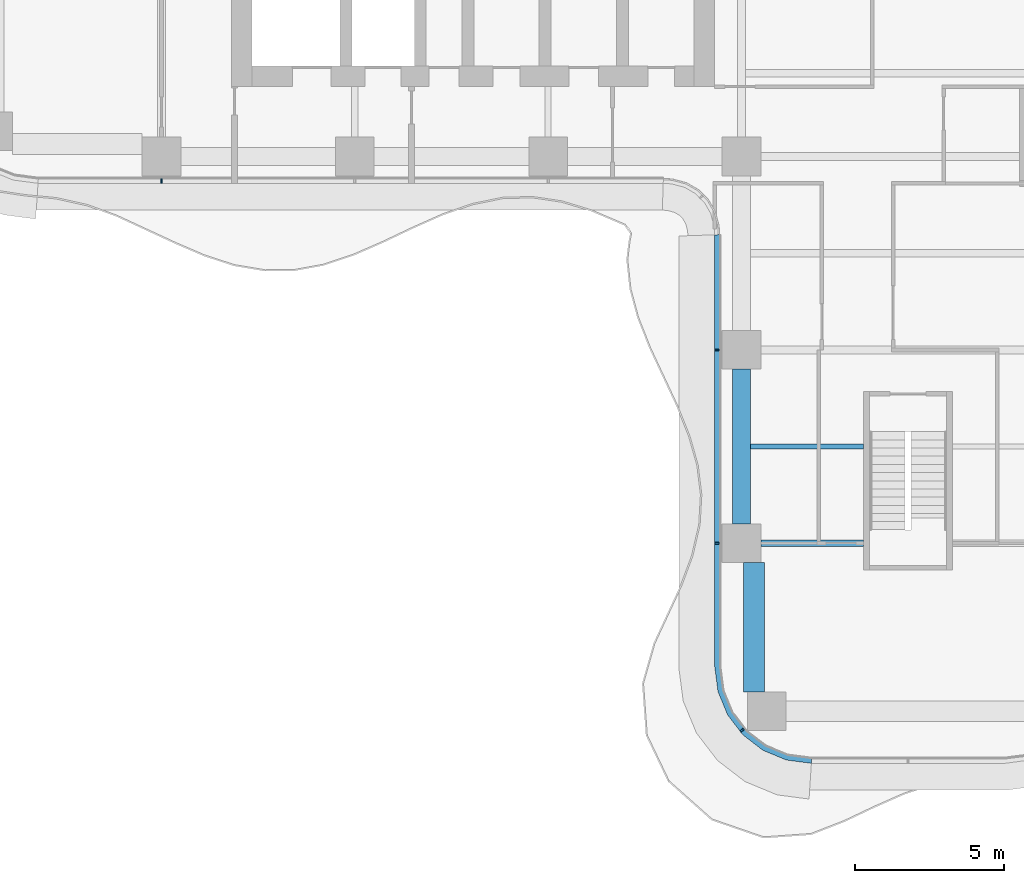
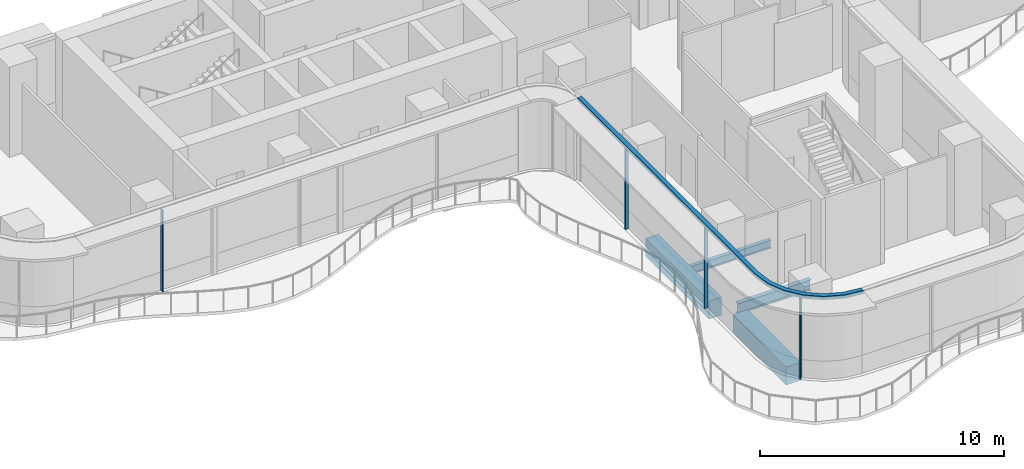
# One storey, part 2 of 20: 5 members, 4 beams, 2 elements without a shape of their own.
"""IFC4 building model written with IfcOpenShell, lengths in metres."""

import ifcopenshell
import ifcopenshell.guid

model = None  # the IFC model being written
_history = None  # IfcOwnerHistory: only IFC2X3 demands one
_inside = {}  # id of a spatial element -> (the spatial element, [elements in it])
_under = {}  # id of a project, library or spatial element -> (it, [spatial elements below it])
_declared = {}  # id of a project -> (the project, [libraries it declares])
_typed = {}  # id of a type object -> (the type object, [elements of that type])
_made_of = {}  # id of a material, layer set ... -> (it, [elements and type objects made of it])


def new_model(schema):
    """Start an empty IFC model of exactly this schema.

    Asked for "IFC4X3", IfcOpenShell would pick the latest addendum, in which some entities
    have other attributes; the version numbers below select the first issue.
    IFC2X3 requires an IfcOwnerHistory on every rooted entity: one is made here for all.
    """
    global model, _history
    if schema == "IFC4X3":
        model = ifcopenshell.file(schema_version=(4, 3, 0, 0))
    else:
        model = ifcopenshell.file(schema=schema)
    _inside.clear()
    _under.clear()
    _declared.clear()
    _typed.clear()
    _made_of.clear()
    _history = None
    if model.schema == "IFC2X3":
        org = make("IfcOrganization", Name="unknown")
        user = make(
            "IfcPersonAndOrganization",
            ThePerson=make("IfcPerson", FamilyName="unknown"),
            TheOrganization=org,
        )
        app = make(
            "IfcApplication",
            ApplicationDeveloper=org,
            Version="unknown",
            ApplicationFullName="unknown",
            ApplicationIdentifier="unknown",
        )
        _history = make(
            "IfcOwnerHistory",
            OwningUser=user,
            OwningApplication=app,
            ChangeAction="ADDED",
            CreationDate=0,
        )
    return model


def make(cls, **values):
    """One entity of the class cls with the attributes given. An attribute that is None is left unset."""
    return model.create_entity(
        cls, **{name: value for name, value in values.items() if value is not None}
    )


def rooted(cls, **values):
    """An entity with a GlobalId (a new one), such as an element, a storey or a relation."""
    return make(cls, GlobalId=ifcopenshell.guid.new(), OwnerHistory=_history, **values)


def si_unit(unit_type, name, prefix=None):
    """IfcSIUnit, for example si_unit("LENGTHUNIT", "METRE", prefix="MILLI")."""
    return make("IfcSIUnit", UnitType=unit_type, Prefix=prefix, Name=name)


def assignment(units):
    """IfcUnitAssignment: the units of a project."""
    return None if units is None else make("IfcUnitAssignment", Units=units)


def point(xyz):
    """IfcCartesianPoint."""
    return None if xyz is None else make("IfcCartesianPoint", Coordinates=xyz)


def direction(xyz):
    """IfcDirection."""
    return None if xyz is None else make("IfcDirection", DirectionRatios=xyz)


def frame(location, z_axis=None, x_axis=None):
    """IfcAxis2Placement3D, a coordinate frame: its origin and axes. An axis left out is left unset."""
    return make(
        "IfcAxis2Placement3D",
        Location=point(location),
        Axis=direction(z_axis),
        RefDirection=direction(x_axis),
    )


def frame_2d(location, x_axis=None):
    """IfcAxis2Placement2D, a coordinate frame in the plane: its origin and x axis."""
    return make(
        "IfcAxis2Placement2D", Location=point(location), RefDirection=direction(x_axis)
    )


def origin():
    """The frame at (0, 0, 0) with its axes left unset."""
    return frame((0.0, 0.0, 0.0))


def origin_2d():
    """The frame at (0, 0) in the plane with its x axis left unset."""
    return frame_2d((0.0, 0.0))


def place(relative_to, where):
    """IfcLocalPlacement: puts the frame where relative to a parent placement (None: the world)."""
    return make(
        "IfcLocalPlacement", PlacementRelTo=relative_to, RelativePlacement=where
    )


def context(
    kind, dimensions, precision=None, world=None, true_north=None, identifier=None
):
    """IfcGeometricRepresentationContext, for example the 3D "Model" context."""
    return make(
        "IfcGeometricRepresentationContext",
        ContextIdentifier=identifier,
        ContextType=kind,
        CoordinateSpaceDimension=dimensions,
        Precision=precision,
        WorldCoordinateSystem=world,
        TrueNorth=true_north,
    )


def subcontext(parent, identifier, kind, view, scale=None):
    """IfcGeometricRepresentationSubContext, for example "Body" below "Model"."""
    return make(
        "IfcGeometricRepresentationSubContext",
        ContextIdentifier=identifier,
        ContextType=kind,
        ParentContext=parent,
        TargetScale=scale,
        TargetView=view,
    )


def project(units=None, contexts=None):
    """IfcProject with its units and contexts."""
    return rooted(
        "IfcProject",
        Name="project",
        RepresentationContexts=contexts,
        UnitsInContext=assignment(units),
    )


def spatial(cls, under=None, at=None, **own):
    """A site, building, storey or space (cls), placed at a placement, below another one or the project."""
    s = rooted(cls, ObjectPlacement=at, **own)
    if under is not None:
        _under.setdefault(under.id(), (under, []))[1].append(s)
    return s


def polyline(points):
    """IfcPolyline through the points."""
    return make("IfcPolyline", Points=[point(p) for p in points])


def profile(cls, at=None, kind="AREA", **sizes):
    """A parametric profile (cls). Its sizes go by their IFC names, for example OverallWidth=200.0."""
    return make(cls, ProfileType=kind, Position=at, **sizes)


def rectangle(**sizes):
    """IfcRectangleProfileDef."""
    return profile("IfcRectangleProfileDef", **sizes)


def i_section(**sizes):
    """IfcIShapeProfileDef."""
    return profile("IfcIShapeProfileDef", **sizes)


def outline(outer, holes=None, kind="AREA"):
    """IfcArbitraryClosedProfileDef: a profile drawn as a closed curve; with holes, ...WithVoids."""
    if holes is None:
        return make("IfcArbitraryClosedProfileDef", ProfileType=kind, OuterCurve=outer)
    return make(
        "IfcArbitraryProfileDefWithVoids",
        ProfileType=kind,
        OuterCurve=outer,
        InnerCurves=holes,
    )


def extrude(swept, where, along, depth):
    """IfcExtrudedAreaSolid: the profile swept, set in the frame where, extruded along a direction by depth."""
    return make(
        "IfcExtrudedAreaSolid",
        SweptArea=swept,
        Position=where,
        ExtrudedDirection=direction(along),
        Depth=depth,
    )


def shape(context_of_items, identifier, shape_type, items):
    """IfcShapeRepresentation: the items that make up one representation, for example the "Body"."""
    return make(
        "IfcShapeRepresentation",
        ContextOfItems=context_of_items,
        RepresentationIdentifier=identifier,
        RepresentationType=shape_type,
        Items=items,
    )


def source(mapping_origin, context_of_items, identifier, shape_type, items):
    """IfcRepresentationMap: a shape defined once, which mapped items show again and again."""
    return make(
        "IfcRepresentationMap",
        MappingOrigin=mapping_origin,
        MappedRepresentation=shape(context_of_items, identifier, shape_type, items),
    )


def transform(
    local_origin,
    x_axis=None,
    y_axis=None,
    z_axis=None,
    scale=None,
    scale2=None,
    scale3=None,
    uniform=True,
):
    """IfcCartesianTransformationOperator3D, or its non-uniform kind. x_axis, y_axis, z_axis: its Axis1, 2, 3."""
    if uniform:
        return make(
            "IfcCartesianTransformationOperator3D",
            Axis1=direction(x_axis),
            Axis2=direction(y_axis),
            LocalOrigin=point(local_origin),
            Scale=scale,
            Axis3=direction(z_axis),
        )
    return make(
        "IfcCartesianTransformationOperator3DnonUniform",
        Axis1=direction(x_axis),
        Axis2=direction(y_axis),
        LocalOrigin=point(local_origin),
        Scale=scale,
        Axis3=direction(z_axis),
        Scale2=scale2,
        Scale3=scale3,
    )


def mapped(mapping_source, mapping_target):
    """IfcMappedItem: shows the shape of a source again, moved by a transform."""
    return make(
        "IfcMappedItem", MappingSource=mapping_source, MappingTarget=mapping_target
    )


def material(Name=None, Category=None):
    """IfcMaterial."""
    return make("IfcMaterial", Name=Name, Category=Category)


def layer(
    of_material, thickness, ventilated=None, Name=None, Category=None, Priority=None
):
    """IfcMaterialLayer: one layer of a wall or slab, of a material (None: an air gap)."""
    return make(
        "IfcMaterialLayer",
        Material=of_material,
        LayerThickness=thickness,
        IsVentilated=ventilated,
        Name=Name,
        Category=Category,
        Priority=Priority,
    )


def layer_set(layers, Name=None):
    """IfcMaterialLayerSet."""
    return make("IfcMaterialLayerSet", MaterialLayers=layers, LayerSetName=Name)


def material_profile(
    of_material, cross_section, Name=None, Category=None, Priority=None
):
    """IfcMaterialProfile: a cross section and its material."""
    return make(
        "IfcMaterialProfile",
        Name=Name,
        Material=of_material,
        Profile=cross_section,
        Priority=Priority,
        Category=Category,
    )


def profile_set(profiles, Name=None, composite=None):
    """IfcMaterialProfileSet."""
    return make(
        "IfcMaterialProfileSet",
        Name=Name,
        MaterialProfiles=profiles,
        CompositeProfile=composite,
    )


def made_of(thing, what):
    """Note that an element or type object is made of a material, layer set ...; save() writes the relation."""
    if what is not None:
        _made_of.setdefault(what.id(), (what, []))[1].append(thing)
    return thing


def type_object(cls, material=None, **own):
    """A type object (cls), such as IfcWallType, which elements share."""
    return made_of(rooted(cls, **own), material)


def element(
    cls,
    number,
    at=None,
    inside=None,
    cuts=None,
    type_object=None,
    material=None,
    context=None,
    identifier="Body",
    shape_type=None,
    held_by="IfcProductDefinitionShape",
    body=None,
    shapes=None,
    **own,
):
    """One element of the class cls, such as IfcWall. Its Tag is "e" and its number.

    at: its placement. inside: the storey or other place that contains it. cuts: it is an
    opening in that element (IfcRelVoidsElement). A single representation is given by context,
    identifier, shape_type and body (its items); several are given by shapes. held_by: the class
    of the entity that holds the representations. save() writes the other relations.
    """
    e = rooted(cls, Tag="e%d" % number, ObjectPlacement=at, **own)
    if body is not None:
        shapes = [shape(context, identifier, shape_type, body)]
    if shapes is not None:
        e.Representation = make(held_by, Representations=shapes)
    if inside is not None:
        _inside.setdefault(inside.id(), (inside, []))[1].append(e)
    if cuts is not None:
        rooted(
            "IfcRelVoidsElement", RelatingBuildingElement=cuts, RelatedOpeningElement=e
        )
    if type_object is not None:
        _typed.setdefault(type_object.id(), (type_object, []))[1].append(e)
    return made_of(e, material)


def aggregate(whole, parts):
    """IfcRelAggregates: a whole, such as a stair, and the parts it consists of."""
    return rooted("IfcRelAggregates", RelatingObject=whole, RelatedObjects=parts)


def save(model, path):
    """Write the relations noted so far, then the file.

    IfcRelAggregates (storeys below a building ...), IfcRelContainedInSpatialStructure (elements
    in a storey), IfcRelDefinesByType, IfcRelAssociatesMaterial and IfcRelDeclares: one each for
    every whole, place, type object, material and project.
    """
    for whole, parts in _under.values():
        aggregate(whole, parts)
    for where, things in _inside.values():
        rooted(
            "IfcRelContainedInSpatialStructure",
            RelatedElements=things,
            RelatingStructure=where,
        )
    for kind, things in _typed.values():
        rooted("IfcRelDefinesByType", RelatedObjects=things, RelatingType=kind)
    for what, things in _made_of.values():
        rooted("IfcRelAssociatesMaterial", RelatedObjects=things, RelatingMaterial=what)
    for by, libraries in _declared.values():
        rooted("IfcRelDeclares", RelatingContext=by, RelatedDefinitions=libraries)
    model.write(path)


model = new_model("IFC4")

# Units and contexts
model_context = context("Model", 3, precision=1e-05, world=origin(), true_north=direction((0.0, 1.0)))
body_context = subcontext(model_context, "Body", "Model", "MODEL_VIEW")
ifc_project = project(units=[si_unit("LENGTHUNIT", "METRE"), si_unit("AREAUNIT", "SQUARE_METRE"), si_unit("VOLUMEUNIT", "CUBIC_METRE"), si_unit("PLANEANGLEUNIT", "RADIAN"), si_unit("MASSUNIT", "GRAM", prefix="KILO")], contexts=[model_context])

# Site, building, storey
site_placement = place(None, origin())
site = spatial("IfcSite", under=ifc_project, at=site_placement, CompositionType="ELEMENT")
building_placement = place(site_placement, origin())
building = spatial("IfcBuilding", under=site, at=building_placement, Name="Trellis Farm Tower", CompositionType="ELEMENT")
storey_placement = place(building_placement, frame((0.0, 0.0, 133.5)))
storey = spatial("IfcBuildingStorey", under=building, at=storey_placement, Name="L28", CompositionType="ELEMENT", Elevation=133.5)

# Beams
ifc_material_1 = material(Name="Steel S355", Category="steel")
ifc_material_profile_1 = material_profile(ifc_material_1, i_section(OverallWidth=0.177978515625, OverallDepth=0.406494140625, WebThickness=0.0078125, FlangeThickness=0.0126953125, FilletRadius=0.01025390625, at=origin_2d()), Name="UB 406x178x60")
ifc_profile_set_1 = profile_set([ifc_material_profile_1], Name="Steel S355")
beam_type_1 = type_object("IfcBeamType", Name="UB 406x178x60 joist", PredefinedType="JOIST", material=ifc_profile_set_1)
shared_shape_1 = source(origin(), body_context, "Body", "SweptSolid", [
    extrude(i_section(OverallWidth=0.177978515625, OverallDepth=0.406494140625, WebThickness=0.0078125, FlangeThickness=0.0126953125, FilletRadius=0.01025390625, at=origin_2d()), origin(), (0.0, 0.0, 1.0), 3.800048828125),
])
beam_1_placement = place(storey_placement, frame((-5.300048828125, -15.35009765625, -0.453125), z_axis=(1.0, 0.0, 0.0), x_axis=(0.0, 1.0, 0.0)))
element("IfcBeam", 1, at=beam_1_placement, inside=storey, type_object=beam_type_1, Name="Floor beam", PredefinedType="JOIST", context=body_context, shape_type="MappedRepresentation", body=[
    mapped(shared_shape_1, transform((0.0, 0.0, 0.0))),
])
ifc_material_profile_2 = material_profile(ifc_material_1, i_section(OverallWidth=0.209228515625, OverallDepth=0.533203125, WebThickness=0.010009765625, FlangeThickness=0.015625, FilletRadius=0.0126953125, at=origin_2d()), Name="UB 533x210x92")
ifc_profile_set_2 = profile_set([ifc_material_profile_2], Name="Steel S355")
beam_type_2 = type_object("IfcBeamType", Name="UB 533x210x92", PredefinedType="BEAM", material=ifc_profile_set_2)
shared_shape_2 = source(origin(), body_context, "Body", "SweptSolid", [
    extrude(i_section(OverallWidth=0.209228515625, OverallDepth=0.533203125, WebThickness=0.010009765625, FlangeThickness=0.015625, FilletRadius=0.0126953125, at=origin_2d()), origin(), (0.0, 0.0, 1.0), 3.449951171875),
])
beam_2_placement = place(storey_placement, frame((-4.949951171875, -18.60009765625, -0.5166015625), z_axis=(1.0, 0.0, 0.0), x_axis=(0.0, 1.0, 0.0)))
element("IfcBeam", 2, at=beam_2_placement, inside=storey, type_object=beam_type_2, Name="Girder", PredefinedType="BEAM", context=body_context, shape_type="MappedRepresentation", body=[
    mapped(shared_shape_2, transform((0.0, 0.0, 0.0))),
])
ifc_material_2 = material(Name="Concrete C60/75", Category="concrete")
ifc_material_profile_3 = material_profile(ifc_material_2, rectangle(XDim=0.60009765625, YDim=0.89990234375, at=origin_2d()), Name="RC spandrel beam 600x900 C60/75")
ifc_profile_set_3 = profile_set([ifc_material_profile_3], Name="Concrete C60/75")
beam_type_3 = type_object("IfcBeamType", Name="RC spandrel beam 600x900 C60/75", PredefinedType="SPANDREL", material=ifc_profile_set_3)
shared_shape_3 = source(origin(), body_context, "Body", "SweptSolid", [
    extrude(rectangle(XDim=0.60009765625, YDim=0.89990234375, at=origin_2d()), origin(), (0.0, 0.0, 1.0), 5.199951171875),
])
beam_3_placement = place(storey_placement, frame((-5.60009765625, -17.949951171875, -0.699951171875), z_axis=(0.0, 1.0, 0.0), x_axis=(-1.0, 0.0, 0.0)))
element("IfcBeam", 3, at=beam_3_placement, inside=storey, type_object=beam_type_3, Name="Girder", PredefinedType="SPANDREL", context=body_context, shape_type="MappedRepresentation", body=[
    mapped(shared_shape_3, transform((0.0, 0.0, 0.0))),
])
ifc_material_profile_4 = material_profile(ifc_material_2, rectangle(XDim=0.699951171875, YDim=0.89990234375, at=origin_2d()), Name="RC spandrel beam 700x900 C60/75")
ifc_profile_set_4 = profile_set([ifc_material_profile_4], Name="Concrete C60/75")
beam_type_4 = type_object("IfcBeamType", Name="RC spandrel beam 700x900 C60/75", PredefinedType="SPANDREL", material=ifc_profile_set_4)
shared_shape_4 = source(origin(), body_context, "Body", "SweptSolid", [
    extrude(rectangle(XDim=0.699951171875, YDim=0.89990234375, at=origin_2d()), origin(), (0.0, 0.0, 1.0), 4.35009765625),
])
beam_4_placement = place(storey_placement, frame((-5.175048828125, -23.60009765625, -0.699951171875), z_axis=(0.0, 1.0, 0.0), x_axis=(-1.0, 0.0, 0.0)))
element("IfcBeam", 4, at=beam_4_placement, inside=storey, type_object=beam_type_4, Name="Girder", PredefinedType="SPANDREL", context=body_context, shape_type="MappedRepresentation", body=[
    mapped(shared_shape_4, transform((0.0, 0.0, 0.0))),
])

# Curtain wall, member
ifc_material_3 = material(Name="Aluminium and glass curtain wall", Category="aluminium")
ifc_layer_1 = layer(ifc_material_3, 0.18994140625)
ifc_layer_set_1 = layer_set([ifc_layer_1], Name="RIBBON CURTAIN WALL CW1")
curtain_wall_type = type_object("IfcCurtainWallType", Name="RIBBON CURTAIN WALL CW1", PredefinedType="NOTDEFINED", material=ifc_layer_set_1)
placement = place(storey_placement, origin())
curtain_wall_1 = element("IfcCurtainWall", 5, at=placement, inside=storey, type_object=curtain_wall_type, Name="CW1 001", PredefinedType="NOTDEFINED")
ifc_material_4 = material(Name="Aluminium extrusion 6063-T6", Category="aluminium")
ifc_material_profile_5 = material_profile(ifc_material_4, rectangle(XDim=0.06005859375, YDim=0.14990234375, at=origin_2d()), Name="MULLION 60x150")
ifc_profile_set_5 = profile_set([ifc_material_profile_5], Name="Aluminium extrusion 6063-T6")
member_type_1 = type_object("IfcMemberType", Name="CW1 MULLION 60x150", PredefinedType="MULLION", material=ifc_profile_set_5)
shared_shape_5 = source(origin(), body_context, "Body", "SweptSolid", [
    extrude(rectangle(XDim=0.06005859375, YDim=0.14990234375, at=origin_2d()), origin(), (0.0, 0.0, 1.0), 4.070068359375),
])
member_1_placement = place(storey_placement, frame((-25.10009765625, -6.425048828125, 0.0), z_axis=(0.0, 0.0, 1.0), x_axis=(1.0, 0.0, 0.0)))
member_1 = element("IfcMember", 6, at=member_1_placement, type_object=member_type_1, Name="MU1 001-01", PredefinedType="MULLION", context=body_context, shape_type="MappedRepresentation", body=[
    mapped(shared_shape_5, transform((0.0, 0.0, 0.0))),
])
aggregate(curtain_wall_1, [member_1])

# Curtain wall, members
curtain_wall_2 = element("IfcCurtainWall", 7, at=placement, inside=storey, type_object=curtain_wall_type, Name="CW1 002", PredefinedType="NOTDEFINED")
member_2_placement = place(storey_placement, frame((-6.425048828125, -12.10009765625, 0.0), z_axis=(0.0, 0.0, 1.0), x_axis=(0.0, -1.0, 0.0)))
member_2 = element("IfcMember", 8, at=member_2_placement, type_object=member_type_1, Name="MU1 002-01", PredefinedType="MULLION", context=body_context, shape_type="MappedRepresentation", body=[
    mapped(shared_shape_5, transform((0.0, 0.0, 0.0))),
])
member_3_placement = place(storey_placement, frame((-6.425048828125, -18.60009765625, 0.0), z_axis=(0.0, 0.0, 1.0), x_axis=(0.0, -1.0, 0.0)))
member_3 = element("IfcMember", 9, at=member_3_placement, type_object=member_type_1, Name="MU1 002-02", PredefinedType="MULLION", context=body_context, shape_type="MappedRepresentation", body=[
    mapped(shared_shape_5, transform((0.0, 0.0, 0.0))),
])
member_4_placement = place(storey_placement, frame((-5.578369140625, -24.885498046875, 0.0), z_axis=(0.0, 0.0, 1.0), x_axis=(0.608761429009, -0.793353340291, 0.0)))
member_4 = element("IfcMember", 10, at=member_4_placement, type_object=member_type_1, Name="MU1 002-03", PredefinedType="MULLION", context=body_context, shape_type="MappedRepresentation", body=[
    mapped(shared_shape_5, transform((0.0, 0.0, 0.0))),
])
ifc_layer_2 = layer(ifc_material_4, 0.199951171875)
ifc_layer_set_2 = layer_set([ifc_layer_2], Name="Aluminium extrusion 6063-T6")
member_type_2 = type_object("IfcMemberType", Name="CW1 TRANSOM 200x180", PredefinedType="USERDEFINED", material=ifc_layer_set_2)
shared_shape_6 = source(origin(), body_context, "Body", "SweptSolid", [
    extrude(outline(polyline([(-6.5, -8.2314453125), (-6.5, -22.75), (-6.38916015625, -23.591064453125), (-6.064697265625, -24.375), (-5.548095703125, -25.048095703125), (-4.875, -25.564697265625), (-4.091064453125, -25.88916015625), (-3.25, -26.0), (-3.23681640625, -25.800048828125), (-4.0390625, -25.6943359375), (-4.774169921875, -25.389892578125), (-5.405517578125, -24.905517578125), (-5.889892578125, -24.274169921875), (-6.1943359375, -23.5390625), (-6.300048828125, -22.73681640625), (-6.300048828125, -8.224853515625), (-6.5, -8.2314453125)])), origin(), (0.0, 0.0, 1.0), 0.179931640625),
])
member_5_placement = place(storey_placement, frame((0.0, 0.0, 4.070068359375)))
member_5 = element("IfcMember", 11, at=member_5_placement, type_object=member_type_2, Name="TR1 002", ObjectType="TRANSOM", PredefinedType="USERDEFINED", context=body_context, shape_type="MappedRepresentation", body=[
    mapped(shared_shape_6, transform((0.0, 0.0, 0.0))),
])
aggregate(curtain_wall_2, [member_2, member_3, member_4, member_5])

save(model, "model.ifc")
